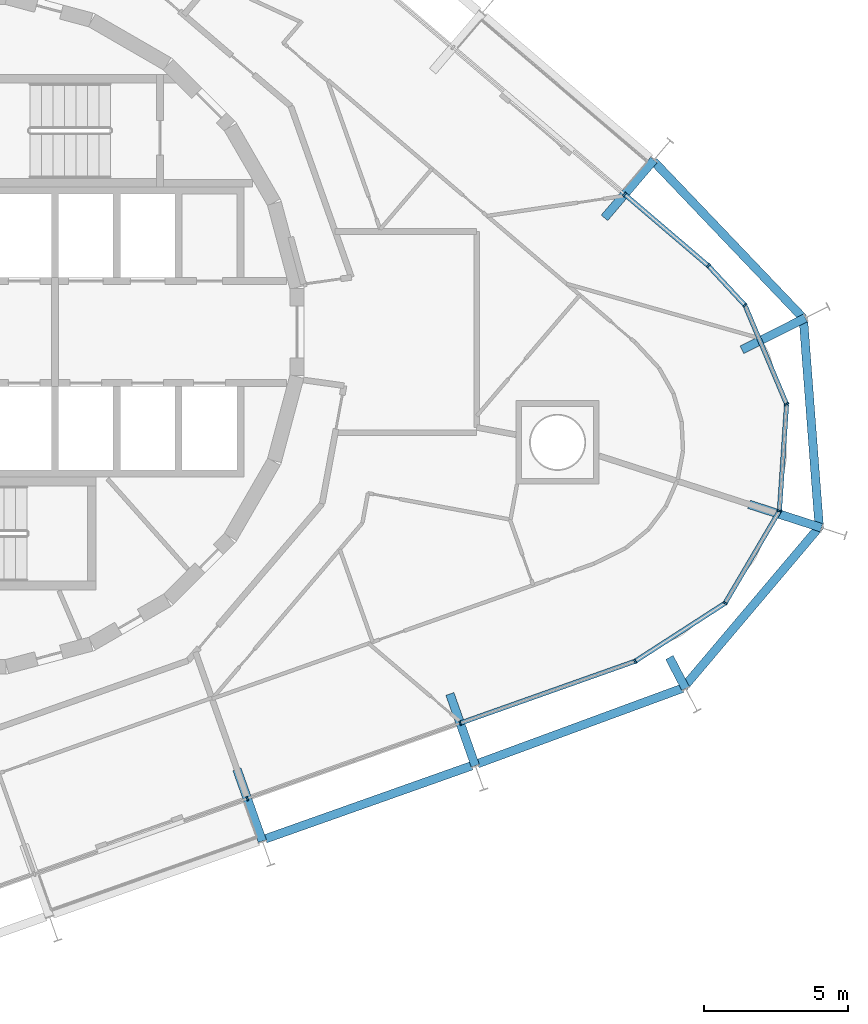
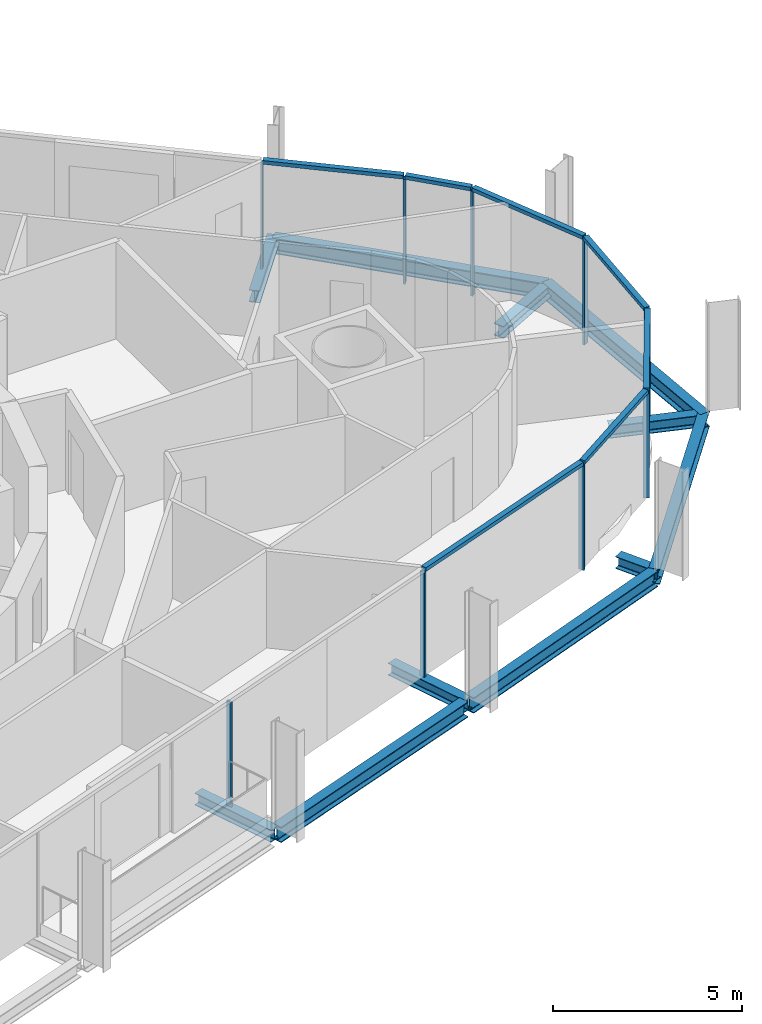
# One storey, part 5 of 17: 16 members, 11 beams, 3 elements without a shape of their own.
"""IFC4 building model written with IfcOpenShell, lengths in metres."""

from ifc_helpers import new_model, si_unit, direction, frame, origin, origin_2d, place, context, subcontext, project, spatial, rectangle, i_section, extrude, material, layer, layer_set, material_profile, profile_set, type_object, element, aggregate, save


model = new_model("IFC4")

# Units and contexts
model_context = context("Model", 3, precision=1e-05, world=origin(), true_north=direction((0.0, 1.0)))
body_context = subcontext(model_context, "Body", "Model", "MODEL_VIEW")
ifc_project = project(units=[si_unit("LENGTHUNIT", "METRE"), si_unit("AREAUNIT", "SQUARE_METRE"), si_unit("VOLUMEUNIT", "CUBIC_METRE"), si_unit("PLANEANGLEUNIT", "RADIAN"), si_unit("MASSUNIT", "GRAM", prefix="KILO")], contexts=[model_context])

# Site, building, storey
site_placement = place(None, origin())
site = spatial("IfcSite", under=ifc_project, at=site_placement, CompositionType="ELEMENT")
building_placement = place(site_placement, origin())
building = spatial("IfcBuilding", under=site, at=building_placement, Name="Spindle Arch Residences", CompositionType="ELEMENT")
storey_placement = place(building_placement, frame((0.0, 0.0, 169.199951171875)))
storey = spatial("IfcBuildingStorey", under=building, at=storey_placement, Name="L42", CompositionType="ELEMENT", Elevation=169.199951171875)

# Curtain wall, members
ifc_material_1 = material(Name="Aluminium bronze unitised frame with tinted glass", Category="aluminium")
ifc_layer_1 = layer(ifc_material_1, 0.159912109375)
ifc_layer_set_1 = layer_set([ifc_layer_1], Name="CW-D corner wall on the fillet arcs")
curtain_wall_type_1 = type_object("IfcCurtainWallType", Name="CW-D corner wall on the fillet arcs", PredefinedType="NOTDEFINED", material=ifc_layer_set_1)
curtain_wall_1_placement = place(storey_placement, origin())
curtain_wall_1 = element("IfcCurtainWall", 1, at=curtain_wall_1_placement, inside=storey, type_object=curtain_wall_type_1, Name="CW-D L42 run 1", PredefinedType="NOTDEFINED")
ifc_material_2 = material(Name="Aluminium bronze anodised mullion", Category="aluminium")
ifc_material_profile_1 = material_profile(ifc_material_2, rectangle(XDim=0.159912109375, YDim=0.06005859375, at=origin_2d()), Name="MU 60x160")
ifc_profile_set_1 = profile_set([ifc_material_profile_1], Name="Aluminium bronze anodised mullion")
member_type_1 = type_object("IfcMemberType", Name="Bronze mullion 60x160", PredefinedType="MULLION", material=ifc_profile_set_1)
member_1_placement = place(storey_placement, frame((17.326904296875, -13.609619140625, -0.3798828125), z_axis=(0.0, 0.0, 1.0), x_axis=(-0.333806859234, 0.942641491092, 0.0)))
member_1 = element("IfcMember", 2, at=member_1_placement, type_object=member_type_1, Name="CW-D mullion 00", PredefinedType="MULLION", context=body_context, shape_type="SweptSolid", body=[
    extrude(rectangle(XDim=0.159912109375, YDim=0.06005859375, at=origin_2d()), origin(), (0.0, 0.0, 1.0), 3.3798828125),
])
member_2_placement = place(storey_placement, frame((23.410400390625, -11.45556640625, -0.3798828125), z_axis=(0.0, 0.0, 1.0), x_axis=(-0.542197137778, 0.840251309898, 0.0)))
member_2 = element("IfcMember", 3, at=member_2_placement, type_object=member_type_1, Name="CW-D mullion 01", PredefinedType="MULLION", context=body_context, shape_type="SweptSolid", body=[
    extrude(rectangle(XDim=0.159912109375, YDim=0.06005859375, at=origin_2d()), origin(), (0.0, 0.0, 1.0), 3.3798828125),
])
member_3_placement = place(storey_placement, frame((26.541748046875, -9.434814453125, -0.3798828125), z_axis=(0.0, 0.0, 1.0), x_axis=(-0.86162915882, 0.507538365713, 0.0)))
member_3 = element("IfcMember", 4, at=member_3_placement, type_object=member_type_1, Name="CW-D mullion 02", PredefinedType="MULLION", context=body_context, shape_type="SweptSolid", body=[
    extrude(rectangle(XDim=0.159912109375, YDim=0.06005859375, at=origin_2d()), origin(), (0.0, 0.0, 1.0), 3.3798828125),
])
member_4_placement = place(storey_placement, frame((28.43310546875, -6.223876953125, -0.3798828125), z_axis=(0.0, 0.0, 1.0), x_axis=(-0.997762742461, 0.066854392204, 0.0)))
member_4 = element("IfcMember", 5, at=member_4_placement, type_object=member_type_1, Name="CW-D mullion 03", PredefinedType="MULLION", context=body_context, shape_type="SweptSolid", body=[
    extrude(rectangle(XDim=0.159912109375, YDim=0.06005859375, at=origin_2d()), origin(), (0.0, 0.0, 1.0), 3.3798828125),
])
member_5_placement = place(storey_placement, frame((28.682373046875, -2.50537109375, -0.3798828125), z_axis=(0.0, 0.0, 1.0), x_axis=(-0.921637549195, -0.388051836633, 0.0)))
member_5 = element("IfcMember", 6, at=member_5_placement, type_object=member_type_1, Name="CW-D mullion 04", PredefinedType="MULLION", context=body_context, shape_type="SweptSolid", body=[
    extrude(rectangle(XDim=0.159912109375, YDim=0.06005859375, at=origin_2d()), origin(), (0.0, 0.0, 1.0), 3.3798828125),
])
member_6_placement = place(storey_placement, frame((27.236083984375, 0.929443359375, -0.3798828125), z_axis=(0.0, 0.0, 1.0), x_axis=(-0.733334455983, -0.679868057543, 0.0)))
member_6 = element("IfcMember", 7, at=member_6_placement, type_object=member_type_1, Name="CW-D mullion 05", PredefinedType="MULLION", context=body_context, shape_type="SweptSolid", body=[
    extrude(rectangle(XDim=0.159912109375, YDim=0.06005859375, at=origin_2d()), origin(), (0.0, 0.0, 1.0), 3.3798828125),
])
member_7_placement = place(storey_placement, frame((25.960693359375, 2.30517578125, -0.3798828125), z_axis=(0.0, 0.0, 1.0), x_axis=(-0.64944804833, -0.7604059656, 0.0)))
member_7 = element("IfcMember", 8, at=member_7_placement, type_object=member_type_1, Name="CW-D mullion 06", PredefinedType="MULLION", context=body_context, shape_type="SweptSolid", body=[
    extrude(rectangle(XDim=0.159912109375, YDim=0.06005859375, at=origin_2d()), origin(), (0.0, 0.0, 1.0), 3.3798828125),
])

# Curtain wall, member
ifc_material_3 = material(Name="Aluminium bronze unitised frame with tinted glass", Category="aluminium")
ifc_layer_2 = layer(ifc_material_3, 0.159912109375)
ifc_layer_set_2 = layer_set([ifc_layer_2], Name="CW-C typical residential unitised wall")
curtain_wall_type_2 = type_object("IfcCurtainWallType", Name="CW-C typical residential unitised wall", PredefinedType="NOTDEFINED", material=ifc_layer_set_2)
curtain_wall_2_placement = place(storey_placement, origin())
curtain_wall_2 = element("IfcCurtainWall", 9, at=curtain_wall_2_placement, inside=storey, type_object=curtain_wall_type_2, Name="CW-C L42 run 2", PredefinedType="NOTDEFINED")
member_8_placement = place(storey_placement, frame((23.045654296875, 4.794677734375, -0.3798828125), z_axis=(0.0, 0.0, 1.0), x_axis=(-0.64944804833, -0.7604059656, 0.0)))
member_8 = element("IfcMember", 10, at=member_8_placement, type_object=member_type_1, Name="CW-C mullion 05", PredefinedType="MULLION", context=body_context, shape_type="SweptSolid", body=[
    extrude(rectangle(XDim=0.159912109375, YDim=0.06005859375, at=origin_2d()), origin(), (0.0, 0.0, 1.0), 3.3798828125),
])
aggregate(curtain_wall_2, [member_8])

curtain_wall_3_placement = place(storey_placement, origin())
curtain_wall_3 = element("IfcCurtainWall", 11, at=curtain_wall_3_placement, inside=storey, type_object=curtain_wall_type_2, Name="CW-C L42 run 6", PredefinedType="NOTDEFINED")
member_9_placement = place(storey_placement, frame((9.917724609375, -16.2333984375, -0.3798828125), z_axis=(0.0, 0.0, 1.0), x_axis=(-0.333806859234, 0.942641491092, 0.0)))
member_9 = element("IfcMember", 12, at=member_9_placement, type_object=member_type_1, Name="CW-C mullion 00", PredefinedType="MULLION", context=body_context, shape_type="SweptSolid", body=[
    extrude(rectangle(XDim=0.159912109375, YDim=0.06005859375, at=origin_2d()), origin(), (0.0, 0.0, 1.0), 3.3798828125),
])
aggregate(curtain_wall_3, [member_9])

# Member
ifc_material_4 = material(Name="Aluminium bronze anodised transom", Category="aluminium")
ifc_material_profile_2 = material_profile(ifc_material_4, rectangle(XDim=0.159912109375, YDim=0.1201171875, at=origin_2d()), Name="TR 120x160")
ifc_profile_set_2 = profile_set([ifc_material_profile_2], Name="Aluminium bronze anodised transom")
member_type_2 = type_object("IfcMemberType", Name="Bronze transom 120x160", PredefinedType="USERDEFINED", material=ifc_profile_set_2)
member_10_placement = place(storey_placement, frame((17.355224609375, -13.599609375, 3.06005859375), z_axis=(0.94265075566, 0.333780695748, 0.0), x_axis=(-0.333780695748, 0.94265075566, 0.0)))
member_10 = element("IfcMember", 13, at=member_10_placement, type_object=member_type_2, Name="CW-D transom 00", ObjectType="TRANSOM", PredefinedType="USERDEFINED", context=body_context, shape_type="SweptSolid", body=[
    extrude(rectangle(XDim=0.159912109375, YDim=0.1201171875, at=origin_2d()), origin(), (0.0, 0.0, 1.0), 6.3935546875),
])

member_11_placement = place(storey_placement, frame((23.435546875, -11.439208984375, 3.06005859375), z_axis=(0.840264358641, 0.542176915405, 0.0), x_axis=(-0.542176915405, 0.840264358641, 0.0)))
member_11 = element("IfcMember", 14, at=member_11_placement, type_object=member_type_2, Name="CW-D transom 01", ObjectType="TRANSOM", PredefinedType="USERDEFINED", context=body_context, shape_type="SweptSolid", body=[
    extrude(rectangle(XDim=0.159912109375, YDim=0.1201171875, at=origin_2d()), origin(), (0.0, 0.0, 1.0), 3.666748046875),
])

member_12_placement = place(storey_placement, frame((26.556884765625, -9.408935546875, 3.06005859375), z_axis=(0.507546689055, 0.861624255943, 0.0), x_axis=(-0.861624255943, 0.507546689055, 0.0)))
member_12 = element("IfcMember", 15, at=member_12_placement, type_object=member_type_2, Name="CW-D transom 02", ObjectType="TRANSOM", PredefinedType="USERDEFINED", context=body_context, shape_type="SweptSolid", body=[
    extrude(rectangle(XDim=0.159912109375, YDim=0.1201171875, at=origin_2d()), origin(), (0.0, 0.0, 1.0), 3.666748046875),
])

member_13_placement = place(storey_placement, frame((28.43505859375, -6.19384765625, 3.06005859375), z_axis=(0.066916740455, 0.997758562903, 0.0), x_axis=(-0.997758562903, 0.066916740455, 0.0)))
member_13 = element("IfcMember", 16, at=member_13_placement, type_object=member_type_2, Name="CW-D transom 03", ObjectType="TRANSOM", PredefinedType="USERDEFINED", context=body_context, shape_type="SweptSolid", body=[
    extrude(rectangle(XDim=0.159912109375, YDim=0.1201171875, at=origin_2d()), origin(), (0.0, 0.0, 1.0), 3.666748046875),
])

member_14_placement = place(storey_placement, frame((28.670654296875, -2.477783203125, 3.06005859375), z_axis=(-0.388045093438, 0.921640388361, 0.0), x_axis=(-0.921640388361, -0.388045093438, 0.0)))
member_14 = element("IfcMember", 17, at=member_14_placement, type_object=member_type_2, Name="CW-D transom 04", ObjectType="TRANSOM", PredefinedType="USERDEFINED", context=body_context, shape_type="SweptSolid", body=[
    extrude(rectangle(XDim=0.159912109375, YDim=0.1201171875, at=origin_2d()), origin(), (0.0, 0.0, 1.0), 3.666748046875),
])

member_15_placement = place(storey_placement, frame((27.2158203125, 0.951416015625, 3.06005859375), z_axis=(-0.679919851258, 0.733286435075, 0.0), x_axis=(-0.733286435075, -0.679919851258, 0.0)))
member_15 = element("IfcMember", 18, at=member_15_placement, type_object=member_type_2, Name="CW-D transom 05", ObjectType="TRANSOM", PredefinedType="USERDEFINED", context=body_context, shape_type="SweptSolid", body=[
    extrude(rectangle(XDim=0.159912109375, YDim=0.1201171875, at=origin_2d()), origin(), (0.0, 0.0, 1.0), 1.816162109375),
])

member_16_placement = place(storey_placement, frame((25.937744140625, 2.32470703125, 3.06005859375), z_axis=(-0.76037900371, 0.64947961532, 0.0), x_axis=(-0.64947961532, -0.76037900371, 0.0)))
member_16 = element("IfcMember", 19, at=member_16_placement, type_object=member_type_2, Name="CW-D transom 06", ObjectType="TRANSOM", PredefinedType="USERDEFINED", context=body_context, shape_type="SweptSolid", body=[
    extrude(rectangle(XDim=0.159912109375, YDim=0.1201171875, at=origin_2d()), origin(), (0.0, 0.0, 1.0), 3.773193359375),
])

aggregate(curtain_wall_1, [member_1, member_10, member_2, member_11, member_3, member_12, member_4, member_13, member_5, member_14, member_6, member_15, member_7, member_16])

# Beams
ifc_material_5 = material(Name="Steel S460ML, intumescent coating R 120", Category="steel")
ifc_material_profile_3 = material_profile(ifc_material_5, i_section(OverallWidth=0.300048828125, OverallDepth=0.5, WebThickness=0.014404296875, FlangeThickness=0.028076171875, FilletRadius=0.027099609375, at=origin_2d()), Name="HEB 500")
ifc_profile_set_3 = profile_set([ifc_material_profile_3], Name="Steel S460ML, intumescent coating R 120")
beam_type_1 = type_object("IfcBeamType", Name="Exoskeleton edge beam HEB 500", PredefinedType="BEAM", material=ifc_profile_set_3)
beam_1_placement = place(storey_placement, frame((10.551025390625, -17.63232421875, -0.6298828125), z_axis=(0.942633964352, 0.33382811333, 0.0), x_axis=(-0.33382811333, 0.942633964352, 0.0)))
element("IfcBeam", 20, at=beam_1_placement, inside=storey, type_object=beam_type_1, Name="Exoskeleton edge beam 1", PredefinedType="BEAM", context=body_context, shape_type="SweptSolid", body=[
    extrude(i_section(OverallWidth=0.300048828125, OverallDepth=0.5, WebThickness=0.014404296875, FlangeThickness=0.028076171875, FilletRadius=0.027099609375, at=origin_2d()), origin(), (0.0, 0.0, 1.0), 7.60009765625),
])
beam_2_placement = place(storey_placement, frame((17.927978515625, -15.01953125, -0.6298828125), z_axis=(0.938417721989, 0.345502791677, 0.0), x_axis=(-0.345502791677, 0.938417721989, 0.0)))
element("IfcBeam", 21, at=beam_2_placement, inside=storey, type_object=beam_type_1, Name="Exoskeleton edge beam 2", PredefinedType="BEAM", context=body_context, shape_type="SweptSolid", body=[
    extrude(i_section(OverallWidth=0.300048828125, OverallDepth=0.5, WebThickness=0.014404296875, FlangeThickness=0.028076171875, FilletRadius=0.027099609375, at=origin_2d()), origin(), (0.0, 0.0, 1.0), 7.59619140625),
])
for number, where, z_axis, x_axis, name in (
    (22, (25.08349609375, -12.3837890625, -0.6298828125), (0.645788487343, 0.763516358446, 0.0), (-0.763516358446, 0.645788487343, 0.0), "Exoskeleton edge beam 3"),
    (23, (29.823974609375, -6.856201171875, -0.6298828125), (-0.076078644635, 0.997101820192, 0.0), (-0.997101820192, -0.076078644635, 0.0), "Exoskeleton edge beam 4"),
):
    element("IfcBeam", number, at=place(storey_placement, frame(where, z_axis=z_axis, x_axis=x_axis)), inside=storey, type_object=beam_type_1, Name=name, PredefinedType="BEAM", context=body_context, shape_type="SweptSolid", body=[
        extrude(i_section(OverallWidth=0.300048828125, OverallDepth=0.5, WebThickness=0.014404296875, FlangeThickness=0.028076171875, FilletRadius=0.027099609375, at=origin_2d()), origin(), (0.0, 0.0, 1.0), 7.4033203125),
    ])
beam_3_placement = place(storey_placement, frame((29.263916015625, 0.484375, -0.6298828125), z_axis=(-0.690454167384, 0.72337614195, 0.0), x_axis=(-0.72337614195, -0.690454167384, 0.0)))
element("IfcBeam", 24, at=beam_3_placement, inside=storey, type_object=beam_type_1, Name="Exoskeleton edge beam 5", PredefinedType="BEAM", context=body_context, shape_type="SweptSolid", body=[
    extrude(i_section(OverallWidth=0.300048828125, OverallDepth=0.5, WebThickness=0.014404296875, FlangeThickness=0.028076171875, FilletRadius=0.027099609375, at=origin_2d()), origin(), (0.0, 0.0, 1.0), 7.534423828125),
])
ifc_material_6 = material(Name="Steel S460ML, intumescent coating R 120", Category="steel")
ifc_material_profile_4 = material_profile(ifc_material_6, i_section(OverallWidth=0.300048828125, OverallDepth=0.389892578125, WebThickness=0.010986328125, FlangeThickness=0.01904296875, FilletRadius=0.027099609375, at=origin_2d()), Name="HEA 400")
ifc_profile_set_4 = profile_set([ifc_material_profile_4], Name="Steel S460ML, intumescent coating R 120")
beam_type_2 = type_object("IfcBeamType", Name="Floor outrigger HEA 400", PredefinedType="BEAM", material=ifc_profile_set_4)
beam_4_placement = place(storey_placement, frame((10.44189453125, -17.71337890625, -0.574951171875), z_axis=(-0.333860785086, 0.942622393211, 0.0), x_axis=(-0.942622393211, -0.333860785086, 0.0)))
element("IfcBeam", 25, at=beam_4_placement, inside=storey, type_object=beam_type_2, Name="Floor outrigger 1", PredefinedType="BEAM", context=body_context, shape_type="SweptSolid", body=[
    extrude(i_section(OverallWidth=0.300048828125, OverallDepth=0.389892578125, WebThickness=0.010986328125, FlangeThickness=0.01904296875, FilletRadius=0.027099609375, at=origin_2d()), origin(), (0.0, 0.0, 1.0), 2.650146484375),
])
beam_5_placement = place(storey_placement, frame((17.85107421875, -15.089599609375, -0.574951171875), z_axis=(-0.333778924893, 0.942651382695, 0.0), x_axis=(-0.942651382695, -0.333778924893, 0.0)))
element("IfcBeam", 26, at=beam_5_placement, inside=storey, type_object=beam_type_2, Name="Floor outrigger 2", PredefinedType="BEAM", context=body_context, shape_type="SweptSolid", body=[
    extrude(i_section(OverallWidth=0.300048828125, OverallDepth=0.389892578125, WebThickness=0.010986328125, FlangeThickness=0.01904296875, FilletRadius=0.027099609375, at=origin_2d()), origin(), (0.0, 0.0, 1.0), 2.64990234375),
])
beam_6_placement = place(storey_placement, frame((25.166015625, -12.400146484375, -0.574951171875), z_axis=(-0.461536115739, 0.887121420026, 0.0), x_axis=(-0.887121420026, -0.461536115739, 0.0)))
element("IfcBeam", 27, at=beam_6_placement, inside=storey, type_object=beam_type_2, Name="Floor outrigger 3", PredefinedType="BEAM", context=body_context, shape_type="SweptSolid", body=[
    extrude(i_section(OverallWidth=0.300048828125, OverallDepth=0.389892578125, WebThickness=0.010986328125, FlangeThickness=0.01904296875, FilletRadius=0.027099609375, at=origin_2d()), origin(), (0.0, 0.0, 1.0), 1.215576171875),
])
beam_7_placement = place(storey_placement, frame((29.894287109375, -6.81005859375, -0.574951171875), z_axis=(-0.951419914018, 0.307896325424, 0.0), x_axis=(-0.307896325424, -0.951419914018, 0.0)))
element("IfcBeam", 28, at=beam_7_placement, inside=storey, type_object=beam_type_2, Name="Floor outrigger 4", PredefinedType="BEAM", context=body_context, shape_type="SweptSolid", body=[
    extrude(i_section(OverallWidth=0.300048828125, OverallDepth=0.389892578125, WebThickness=0.010986328125, FlangeThickness=0.01904296875, FilletRadius=0.027099609375, at=origin_2d()), origin(), (0.0, 0.0, 1.0), 2.64990234375),
])
beam_8_placement = place(storey_placement, frame((29.33740234375, 0.490478515625, -0.574951171875), z_axis=(-0.8937538876, -0.448557675668, 0.0), x_axis=(0.448557675668, -0.8937538876, 0.0)))
element("IfcBeam", 29, at=beam_8_placement, inside=storey, type_object=beam_type_2, Name="Floor outrigger 5", PredefinedType="BEAM", context=body_context, shape_type="SweptSolid", body=[
    extrude(i_section(OverallWidth=0.300048828125, OverallDepth=0.389892578125, WebThickness=0.010986328125, FlangeThickness=0.01904296875, FilletRadius=0.027099609375, at=origin_2d()), origin(), (0.0, 0.0, 1.0), 2.469482421875),
])
beam_9_placement = place(storey_placement, frame((24.065185546875, 5.988525390625, -0.574951171875), z_axis=(-0.64941704551, -0.760432443417, 0.0), x_axis=(0.760432443417, -0.64941704551, 0.0)))
element("IfcBeam", 30, at=beam_9_placement, inside=storey, type_object=beam_type_2, Name="Floor outrigger 6", PredefinedType="BEAM", context=body_context, shape_type="SweptSolid", body=[
    extrude(i_section(OverallWidth=0.300048828125, OverallDepth=0.389892578125, WebThickness=0.010986328125, FlangeThickness=0.01904296875, FilletRadius=0.027099609375, at=origin_2d()), origin(), (0.0, 0.0, 1.0), 2.64990234375),
])

save(model, "model.ifc")
